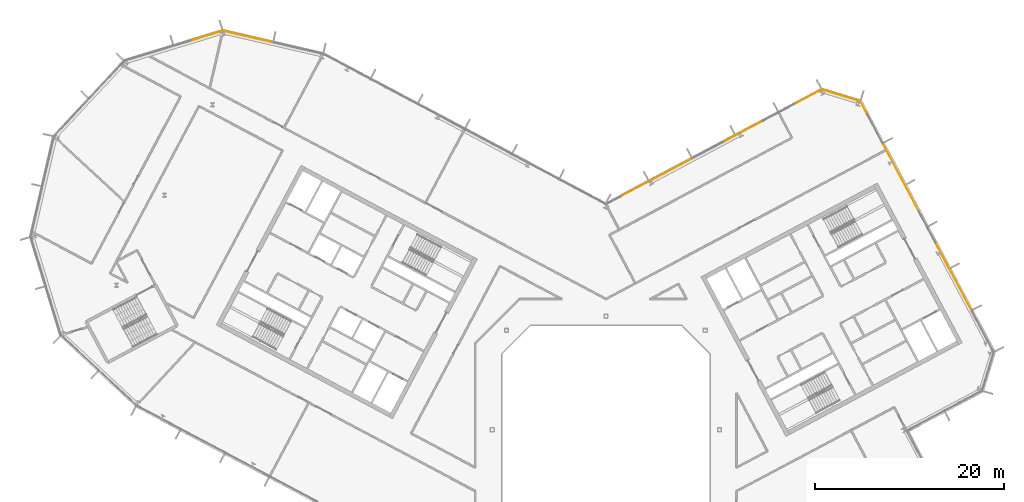
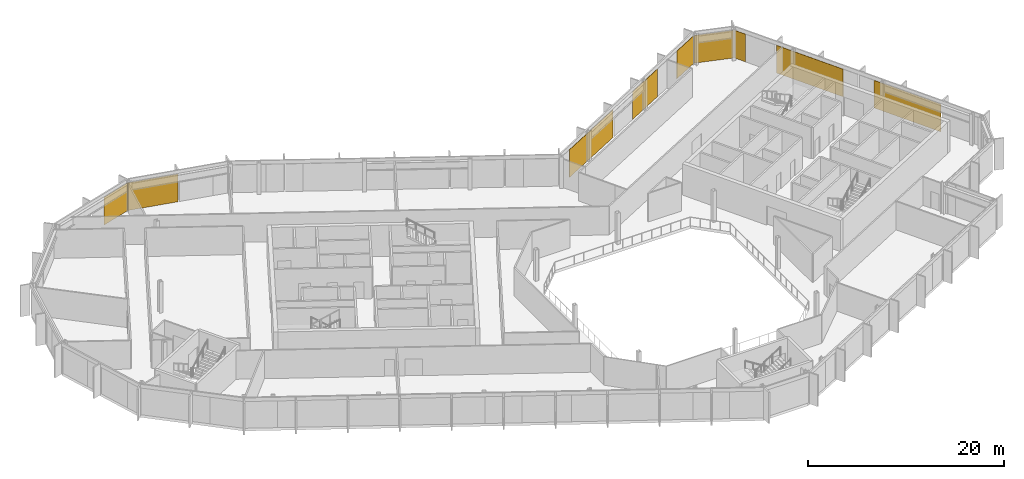
# One storey, part 25 of 25: 9 coverings, 5 elements without a shape of their own.
"""IFC4 building model written with IfcOpenShell, lengths in metres."""

from ifc_helpers import new_model, si_unit, direction, frame, origin, origin_2d, place, context, subcontext, project, spatial, rectangle, extrude, material, layer, layer_set, type_object, element, aggregate, save


model = new_model("IFC4")

# Units and contexts
model_context = context("Model", 3, precision=1e-05, world=origin(), true_north=direction((0.0, 1.0)))
body_context = subcontext(model_context, "Body", "Model", "MODEL_VIEW")
ifc_project = project(units=[si_unit("LENGTHUNIT", "METRE"), si_unit("AREAUNIT", "SQUARE_METRE"), si_unit("VOLUMEUNIT", "CUBIC_METRE"), si_unit("PLANEANGLEUNIT", "RADIAN"), si_unit("MASSUNIT", "GRAM", prefix="KILO")], contexts=[model_context])

# Site, building, storey
site_placement = place(None, origin())
site = spatial("IfcSite", under=ifc_project, at=site_placement, CompositionType="ELEMENT")
building_placement = place(site_placement, origin())
building = spatial("IfcBuilding", under=site, at=building_placement, Name="Cormorant Relay Tower", CompositionType="ELEMENT")
storey_placement = place(building_placement, frame((0.0, 0.0, 281.39990234375)))
storey = spatial("IfcBuildingStorey", under=building, at=storey_placement, Name="L63", CompositionType="ELEMENT", Elevation=281.39990234375)

# Curtain wall, coverings
ifc_material_1 = material(Name="Aluminium 6063-T6 anodised bronze", Category="aluminium")
ifc_layer_1 = layer(ifc_material_1, 0.199951171875)
ifc_layer_set_1 = layer_set([ifc_layer_1], Name="CW1 unitised bronze curtain wall with vertical fins")
curtain_wall_type = type_object("IfcCurtainWallType", Name="CW1 unitised bronze curtain wall with vertical fins", PredefinedType="NOTDEFINED", material=ifc_layer_set_1)
curtain_wall_1_placement = place(storey_placement, origin())
curtain_wall_1 = element("IfcCurtainWall", 1, at=curtain_wall_1_placement, inside=storey, type_object=curtain_wall_type, Name="CW1 curtain wall 6", PredefinedType="NOTDEFINED")
ifc_material_2 = material(Name="Pale bronze anodised aluminium insulated panel", Category="aluminium")
ifc_layer_2 = layer(ifc_material_2, 0.0400390625)
ifc_layer_set_2 = layer_set([ifc_layer_2], Name="CW1 pale bronze insulated panel 40")
covering_type = type_object("IfcCoveringType", Name="CW1 pale bronze insulated panel 40", PredefinedType="CLADDING", material=ifc_layer_set_2)
covering_1_placement = place(storey_placement, frame((36.697021484375, 16.227783203125, 0.0), z_axis=(0.0, 0.0, 1.0), x_axis=(-0.469471562786, 0.882947592859, 0.0)))
covering_1 = element("IfcCovering", 2, at=covering_1_placement, type_object=covering_type, Name="CW1 panel S02", PredefinedType="CLADDING", context=body_context, shape_type="SweptSolid", body=[
    extrude(rectangle(XDim=8.050048828125, YDim=0.0400390625, at=origin_2d()), origin(), (0.0, 0.0, 1.0), 3.449951171875),
])
covering_2_placement = place(storey_placement, frame((31.1572265625, 26.646484375, 0.0), z_axis=(0.0, 0.0, 1.0), x_axis=(-0.469471562786, 0.882947592859, 0.0)))
covering_2 = element("IfcCovering", 3, at=covering_2_placement, type_object=covering_type, Name="CW1 panel S05", PredefinedType="CLADDING", context=body_context, shape_type="SweptSolid", body=[
    extrude(rectangle(XDim=8.050048828125, YDim=0.0400390625, at=origin_2d()), origin(), (0.0, 0.0, 1.0), 3.449951171875),
])
covering_3_placement = place(storey_placement, frame((27.196044921875, 34.096435546875, 0.0), z_axis=(0.0, 0.0, 1.0), x_axis=(-0.469471562786, 0.882947592859, 0.0)))
covering_3 = element("IfcCovering", 4, at=covering_3_placement, type_object=covering_type, Name="CW1 panel S07", PredefinedType="CLADDING", context=body_context, shape_type="SweptSolid", body=[
    extrude(rectangle(XDim=1.324951171875, YDim=0.0400390625, at=origin_2d()), origin(), (0.0, 0.0, 1.0), 3.449951171875),
])
aggregate(curtain_wall_1, [covering_1, covering_2, covering_3])

# Curtain wall, covering
curtain_wall_2_placement = place(storey_placement, origin())
curtain_wall_2 = element("IfcCurtainWall", 5, at=curtain_wall_2_placement, inside=storey, type_object=curtain_wall_type, Name="CW1 curtain wall 7", PredefinedType="NOTDEFINED")
covering_4_placement = place(storey_placement, frame((24.808837890625, 35.322265625, 0.0), z_axis=(0.0, 0.0, 1.0), x_axis=(-0.956304755963, 0.292371704723, 0.0)))
covering_4 = element("IfcCovering", 6, at=covering_4_placement, type_object=covering_type, Name="CW1 panel S00", PredefinedType="CLADDING", context=body_context, shape_type="SweptSolid", body=[
    extrude(rectangle(XDim=4.16748046875, YDim=0.0400390625, at=origin_2d()), origin(), (0.0, 0.0, 1.0), 3.449951171875),
])
aggregate(curtain_wall_2, [covering_4])

# Curtain wall, coverings
curtain_wall_3_placement = place(storey_placement, origin())
curtain_wall_3 = element("IfcCurtainWall", 7, at=curtain_wall_3_placement, inside=storey, type_object=curtain_wall_type, Name="CW1 curtain wall 8", PredefinedType="NOTDEFINED")
covering_5_placement = place(storey_placement, frame((21.314453125, 35.1396484375, 0.0), z_axis=(0.0, 0.0, 1.0), x_axis=(-0.882947592859, -0.469471562786, 0.0)))
covering_5 = element("IfcCovering", 8, at=covering_5_placement, type_object=covering_type, Name="CW1 panel S00", PredefinedType="CLADDING", context=body_context, shape_type="SweptSolid", body=[
    extrude(rectangle(XDim=3.216796875, YDim=0.0400390625, at=origin_2d()), origin(), (0.0, 0.0, 1.0), 3.449951171875),
])
covering_6_placement = place(storey_placement, frame((14.471435546875, 31.501220703125, 0.0), z_axis=(0.0, 0.0, 1.0), x_axis=(-0.882947592859, -0.469471562786, 0.0)))
covering_6 = element("IfcCovering", 9, at=covering_6_placement, type_object=covering_type, Name="CW1 panel S03", PredefinedType="CLADDING", context=body_context, shape_type="SweptSolid", body=[
    extrude(rectangle(XDim=4.78369140625, YDim=0.0400390625, at=origin_2d()), origin(), (0.0, 0.0, 1.0), 3.449951171875),
])
covering_7_placement = place(storey_placement, frame((5.314208984375, 26.632080078125, 0.0), z_axis=(0.0, 0.0, 1.0), x_axis=(-0.882947592859, -0.469471562786, 0.0)))
covering_7 = element("IfcCovering", 10, at=covering_7_placement, type_object=covering_type, Name="CW1 panel S05", PredefinedType="CLADDING", context=body_context, shape_type="SweptSolid", body=[
    extrude(rectangle(XDim=8.45849609375, YDim=0.0400390625, at=origin_2d()), origin(), (0.0, 0.0, 1.0), 3.449951171875),
])
aggregate(curtain_wall_3, [covering_5, covering_6, covering_7])

# Curtain wall, covering
curtain_wall_4_placement = place(storey_placement, origin())
curtain_wall_4 = element("IfcCurtainWall", 11, at=curtain_wall_4_placement, inside=storey, type_object=curtain_wall_type, Name="CW1 curtain wall 10", PredefinedType="NOTDEFINED")
covering_8_placement = place(storey_placement, frame((-37.849609375, 41.530029296875, 0.0), z_axis=(0.0, 0.0, 1.0), x_axis=(-0.974370064785, 0.224951054344, 0.0)))
covering_8 = element("IfcCovering", 12, at=covering_8_placement, type_object=covering_type, Name="CW1 panel S02", PredefinedType="CLADDING", context=body_context, shape_type="SweptSolid", body=[
    extrude(rectangle(XDim=5.360107421875, YDim=0.0400390625, at=origin_2d()), origin(), (0.0, 0.0, 1.0), 3.449951171875),
])
aggregate(curtain_wall_4, [covering_8])

curtain_wall_5_placement = place(storey_placement, origin())
curtain_wall_5 = element("IfcCurtainWall", 13, at=curtain_wall_5_placement, inside=storey, type_object=curtain_wall_type, Name="CW1 curtain wall 11", PredefinedType="NOTDEFINED")
covering_9_placement = place(storey_placement, frame((-42.209716796875, 41.60107421875, 0.0), z_axis=(0.0, 0.0, 1.0), x_axis=(-0.956304755963, -0.292371704723, 0.0)))
covering_9 = element("IfcCovering", 14, at=covering_9_placement, type_object=covering_type, Name="CW1 panel S00", PredefinedType="CLADDING", context=body_context, shape_type="SweptSolid", body=[
    extrude(rectangle(XDim=3.485107421875, YDim=0.0400390625, at=origin_2d()), origin(), (0.0, 0.0, 1.0), 3.449951171875),
])
aggregate(curtain_wall_5, [covering_9])

save(model, "model.ifc")
